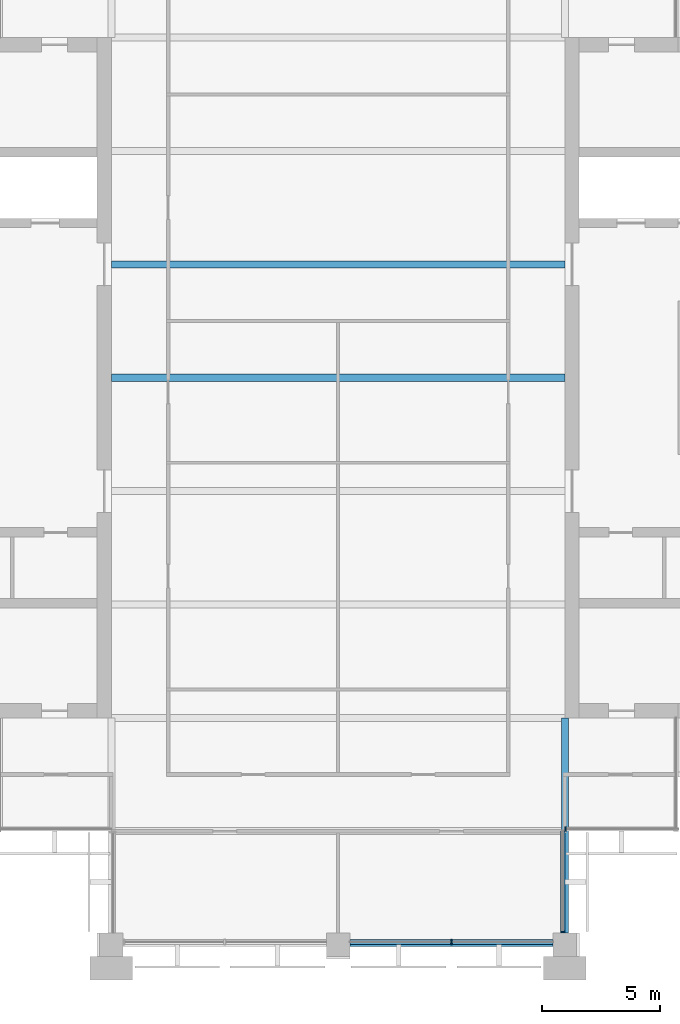
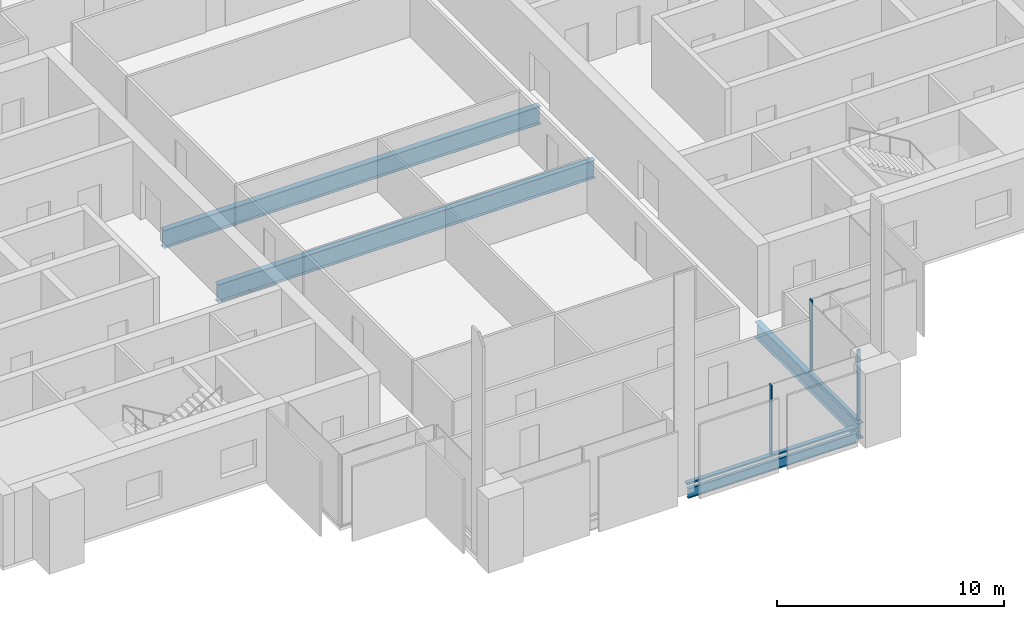
# One storey, part 3 of 12: 5 members, 4 beams, 3 elements without a shape of their own.
"""IFC4 building model written with IfcOpenShell, lengths in metres."""

import ifcopenshell
import ifcopenshell.guid

model = None  # the IFC model being written
_history = None  # IfcOwnerHistory: only IFC2X3 demands one
_inside = {}  # id of a spatial element -> (the spatial element, [elements in it])
_under = {}  # id of a project, library or spatial element -> (it, [spatial elements below it])
_declared = {}  # id of a project -> (the project, [libraries it declares])
_typed = {}  # id of a type object -> (the type object, [elements of that type])
_made_of = {}  # id of a material, layer set ... -> (it, [elements and type objects made of it])


def new_model(schema):
    """Start an empty IFC model of exactly this schema.

    Asked for "IFC4X3", IfcOpenShell would pick the latest addendum, in which some entities
    have other attributes; the version numbers below select the first issue.
    IFC2X3 requires an IfcOwnerHistory on every rooted entity: one is made here for all.
    """
    global model, _history
    if schema == "IFC4X3":
        model = ifcopenshell.file(schema_version=(4, 3, 0, 0))
    else:
        model = ifcopenshell.file(schema=schema)
    _inside.clear()
    _under.clear()
    _declared.clear()
    _typed.clear()
    _made_of.clear()
    _history = None
    if model.schema == "IFC2X3":
        org = make("IfcOrganization", Name="unknown")
        user = make(
            "IfcPersonAndOrganization",
            ThePerson=make("IfcPerson", FamilyName="unknown"),
            TheOrganization=org,
        )
        app = make(
            "IfcApplication",
            ApplicationDeveloper=org,
            Version="unknown",
            ApplicationFullName="unknown",
            ApplicationIdentifier="unknown",
        )
        _history = make(
            "IfcOwnerHistory",
            OwningUser=user,
            OwningApplication=app,
            ChangeAction="ADDED",
            CreationDate=0,
        )
    return model


def make(cls, **values):
    """One entity of the class cls with the attributes given. An attribute that is None is left unset."""
    return model.create_entity(
        cls, **{name: value for name, value in values.items() if value is not None}
    )


def rooted(cls, **values):
    """An entity with a GlobalId (a new one), such as an element, a storey or a relation."""
    return make(cls, GlobalId=ifcopenshell.guid.new(), OwnerHistory=_history, **values)


def si_unit(unit_type, name, prefix=None):
    """IfcSIUnit, for example si_unit("LENGTHUNIT", "METRE", prefix="MILLI")."""
    return make("IfcSIUnit", UnitType=unit_type, Prefix=prefix, Name=name)


def assignment(units):
    """IfcUnitAssignment: the units of a project."""
    return None if units is None else make("IfcUnitAssignment", Units=units)


def point(xyz):
    """IfcCartesianPoint."""
    return None if xyz is None else make("IfcCartesianPoint", Coordinates=xyz)


def direction(xyz):
    """IfcDirection."""
    return None if xyz is None else make("IfcDirection", DirectionRatios=xyz)


def frame(location, z_axis=None, x_axis=None):
    """IfcAxis2Placement3D, a coordinate frame: its origin and axes. An axis left out is left unset."""
    return make(
        "IfcAxis2Placement3D",
        Location=point(location),
        Axis=direction(z_axis),
        RefDirection=direction(x_axis),
    )


def frame_2d(location, x_axis=None):
    """IfcAxis2Placement2D, a coordinate frame in the plane: its origin and x axis."""
    return make(
        "IfcAxis2Placement2D", Location=point(location), RefDirection=direction(x_axis)
    )


def origin():
    """The frame at (0, 0, 0) with its axes left unset."""
    return frame((0.0, 0.0, 0.0))


def origin_2d():
    """The frame at (0, 0) in the plane with its x axis left unset."""
    return frame_2d((0.0, 0.0))


def place(relative_to, where):
    """IfcLocalPlacement: puts the frame where relative to a parent placement (None: the world)."""
    return make(
        "IfcLocalPlacement", PlacementRelTo=relative_to, RelativePlacement=where
    )


def context(
    kind, dimensions, precision=None, world=None, true_north=None, identifier=None
):
    """IfcGeometricRepresentationContext, for example the 3D "Model" context."""
    return make(
        "IfcGeometricRepresentationContext",
        ContextIdentifier=identifier,
        ContextType=kind,
        CoordinateSpaceDimension=dimensions,
        Precision=precision,
        WorldCoordinateSystem=world,
        TrueNorth=true_north,
    )


def subcontext(parent, identifier, kind, view, scale=None):
    """IfcGeometricRepresentationSubContext, for example "Body" below "Model"."""
    return make(
        "IfcGeometricRepresentationSubContext",
        ContextIdentifier=identifier,
        ContextType=kind,
        ParentContext=parent,
        TargetScale=scale,
        TargetView=view,
    )


def project(units=None, contexts=None):
    """IfcProject with its units and contexts."""
    return rooted(
        "IfcProject",
        Name="project",
        RepresentationContexts=contexts,
        UnitsInContext=assignment(units),
    )


def spatial(cls, under=None, at=None, **own):
    """A site, building, storey or space (cls), placed at a placement, below another one or the project."""
    s = rooted(cls, ObjectPlacement=at, **own)
    if under is not None:
        _under.setdefault(under.id(), (under, []))[1].append(s)
    return s


def profile(cls, at=None, kind="AREA", **sizes):
    """A parametric profile (cls). Its sizes go by their IFC names, for example OverallWidth=200.0."""
    return make(cls, ProfileType=kind, Position=at, **sizes)


def rectangle(**sizes):
    """IfcRectangleProfileDef."""
    return profile("IfcRectangleProfileDef", **sizes)


def i_section(**sizes):
    """IfcIShapeProfileDef."""
    return profile("IfcIShapeProfileDef", **sizes)


def extrude(swept, where, along, depth):
    """IfcExtrudedAreaSolid: the profile swept, set in the frame where, extruded along a direction by depth."""
    return make(
        "IfcExtrudedAreaSolid",
        SweptArea=swept,
        Position=where,
        ExtrudedDirection=direction(along),
        Depth=depth,
    )


def shape(context_of_items, identifier, shape_type, items):
    """IfcShapeRepresentation: the items that make up one representation, for example the "Body"."""
    return make(
        "IfcShapeRepresentation",
        ContextOfItems=context_of_items,
        RepresentationIdentifier=identifier,
        RepresentationType=shape_type,
        Items=items,
    )


def material(Name=None, Category=None):
    """IfcMaterial."""
    return make("IfcMaterial", Name=Name, Category=Category)


def material_profile(
    of_material, cross_section, Name=None, Category=None, Priority=None
):
    """IfcMaterialProfile: a cross section and its material."""
    return make(
        "IfcMaterialProfile",
        Name=Name,
        Material=of_material,
        Profile=cross_section,
        Priority=Priority,
        Category=Category,
    )


def profile_set(profiles, Name=None, composite=None):
    """IfcMaterialProfileSet."""
    return make(
        "IfcMaterialProfileSet",
        Name=Name,
        MaterialProfiles=profiles,
        CompositeProfile=composite,
    )


def made_of(thing, what):
    """Note that an element or type object is made of a material, layer set ...; save() writes the relation."""
    if what is not None:
        _made_of.setdefault(what.id(), (what, []))[1].append(thing)
    return thing


def type_object(cls, material=None, **own):
    """A type object (cls), such as IfcWallType, which elements share."""
    return made_of(rooted(cls, **own), material)


def element(
    cls,
    number,
    at=None,
    inside=None,
    cuts=None,
    type_object=None,
    material=None,
    context=None,
    identifier="Body",
    shape_type=None,
    held_by="IfcProductDefinitionShape",
    body=None,
    shapes=None,
    **own,
):
    """One element of the class cls, such as IfcWall. Its Tag is "e" and its number.

    at: its placement. inside: the storey or other place that contains it. cuts: it is an
    opening in that element (IfcRelVoidsElement). A single representation is given by context,
    identifier, shape_type and body (its items); several are given by shapes. held_by: the class
    of the entity that holds the representations. save() writes the other relations.
    """
    e = rooted(cls, Tag="e%d" % number, ObjectPlacement=at, **own)
    if body is not None:
        shapes = [shape(context, identifier, shape_type, body)]
    if shapes is not None:
        e.Representation = make(held_by, Representations=shapes)
    if inside is not None:
        _inside.setdefault(inside.id(), (inside, []))[1].append(e)
    if cuts is not None:
        rooted(
            "IfcRelVoidsElement", RelatingBuildingElement=cuts, RelatedOpeningElement=e
        )
    if type_object is not None:
        _typed.setdefault(type_object.id(), (type_object, []))[1].append(e)
    return made_of(e, material)


def aggregate(whole, parts):
    """IfcRelAggregates: a whole, such as a stair, and the parts it consists of."""
    return rooted("IfcRelAggregates", RelatingObject=whole, RelatedObjects=parts)


def save(model, path):
    """Write the relations noted so far, then the file.

    IfcRelAggregates (storeys below a building ...), IfcRelContainedInSpatialStructure (elements
    in a storey), IfcRelDefinesByType, IfcRelAssociatesMaterial and IfcRelDeclares: one each for
    every whole, place, type object, material and project.
    """
    for whole, parts in _under.values():
        aggregate(whole, parts)
    for where, things in _inside.values():
        rooted(
            "IfcRelContainedInSpatialStructure",
            RelatedElements=things,
            RelatingStructure=where,
        )
    for kind, things in _typed.values():
        rooted("IfcRelDefinesByType", RelatedObjects=things, RelatingType=kind)
    for what, things in _made_of.values():
        rooted("IfcRelAssociatesMaterial", RelatedObjects=things, RelatingMaterial=what)
    for by, libraries in _declared.values():
        rooted("IfcRelDeclares", RelatingContext=by, RelatedDefinitions=libraries)
    model.write(path)


model = new_model("IFC4")

# Units and contexts
model_context = context("Model", 3, precision=1e-05, world=origin(), true_north=direction((0.0, 1.0)))
body_context = subcontext(model_context, "Body", "Model", "MODEL_VIEW")
ifc_project = project(units=[si_unit("LENGTHUNIT", "METRE"), si_unit("AREAUNIT", "SQUARE_METRE"), si_unit("VOLUMEUNIT", "CUBIC_METRE"), si_unit("PLANEANGLEUNIT", "RADIAN"), si_unit("MASSUNIT", "GRAM", prefix="KILO")], contexts=[model_context])

# Site, building, storey
site_placement = place(None, origin())
site = spatial("IfcSite", under=ifc_project, at=site_placement, CompositionType="ELEMENT")
building_placement = place(site_placement, origin())
building = spatial("IfcBuilding", under=site, at=building_placement, Name="Baori Bourse Tower", CompositionType="ELEMENT")
storey_placement = place(building_placement, frame((0.0, 0.0, 306.300048828125)))
storey = spatial("IfcBuildingStorey", under=building, at=storey_placement, Name="L67", CompositionType="ELEMENT", Elevation=306.300048828125)

# Curtain wall, member
ifc_material_1 = material(Name="Pale anodised aluminium", Category="aluminium")
curtain_wall_type_1 = type_object("IfcCurtainWallType", Name="CW2 Curtain wall", PredefinedType="NOTDEFINED", material=ifc_material_1)
curtain_wall_1_placement = place(storey_placement, origin())
curtain_wall_1 = element("IfcCurtainWall", 1, at=curtain_wall_1_placement, inside=storey, type_object=curtain_wall_type_1, Name="Curtain wall CW2 L67 12", PredefinedType="NOTDEFINED")
ifc_material_2 = material(Name="Pale anodised aluminium", Category="aluminium")
ifc_material_profile_1 = material_profile(ifc_material_2, rectangle(XDim=0.179931640625, YDim=0.054931640625, at=origin_2d()), Name="Mullion 55x180")
ifc_profile_set_1 = profile_set([ifc_material_profile_1], Name="Pale anodised aluminium")
member_type_1 = type_object("IfcMemberType", Name="CW2 Curtain wall mullion", PredefinedType="MULLION", material=ifc_profile_set_1)
member_1_placement = place(storey_placement, frame((38.31005859375, 0.527587890625, 0.070068359375), z_axis=(0.0, 0.0, 1.0), x_axis=(-1.0, 0.0, 0.0)))
member_1 = element("IfcMember", 2, at=member_1_placement, type_object=member_type_1, Name="Curtain wall CW2 mullion", PredefinedType="MULLION", context=body_context, shape_type="SweptSolid", body=[
    extrude(rectangle(XDim=0.179931640625, YDim=0.054931640625, at=origin_2d()), origin(), (0.0, 0.0, 1.0), 3.769775390625),
])

curtain_wall_2_placement = place(storey_placement, origin())
curtain_wall_2 = element("IfcCurtainWall", 3, at=curtain_wall_2_placement, inside=storey, type_object=curtain_wall_type_1, Name="Curtain wall CW2 L67 13", PredefinedType="NOTDEFINED")
member_2_placement = place(storey_placement, frame((38.427490234375, 4.889892578125, 0.070068359375), z_axis=(0.0, 0.0, 1.0), x_axis=(0.0, 1.0, 0.0)))
member_2 = element("IfcMember", 4, at=member_2_placement, type_object=member_type_1, Name="Curtain wall CW2 mullion", PredefinedType="MULLION", context=body_context, shape_type="SweptSolid", body=[
    extrude(rectangle(XDim=0.179931640625, YDim=0.054931640625, at=origin_2d()), origin(), (0.0, 0.0, 1.0), 3.769775390625),
])
aggregate(curtain_wall_2, [member_2])

# Member
ifc_material_3 = material(Name="Pale anodised aluminium", Category="aluminium")
ifc_material_profile_2 = material_profile(ifc_material_3, rectangle(XDim=0.179931640625, YDim=0.070068359375, at=origin_2d()), Name="Transom 70x180")
ifc_profile_set_2 = profile_set([ifc_material_profile_2], Name="Pale anodised aluminium")
member_type_2 = type_object("IfcMemberType", Name="CW2 Curtain wall transom", PredefinedType="USERDEFINED", material=ifc_profile_set_2)
member_3_placement = place(storey_placement, frame((38.31005859375, 0.5, 0.034912109375), z_axis=(0.0, 1.0, 0.0), x_axis=(-1.0, 0.0, 0.0)))
member_3 = element("IfcMember", 5, at=member_3_placement, type_object=member_type_2, Name="Curtain wall CW2 sill rail", ObjectType="TRANSOM", PredefinedType="USERDEFINED", context=body_context, shape_type="SweptSolid", body=[
    extrude(rectangle(XDim=0.179931640625, YDim=0.070068359375, at=origin_2d()), origin(), (0.0, 0.0, 1.0), 4.300048828125),
])

aggregate(curtain_wall_1, [member_3, member_1])

# Curtain wall, members
ifc_material_4 = material(Name="Pale anodised aluminium", Category="aluminium")
curtain_wall_type_2 = type_object("IfcCurtainWallType", Name="CW5 Curtain wall", PredefinedType="NOTDEFINED", material=ifc_material_4)
curtain_wall_3_placement = place(storey_placement, origin())
curtain_wall_3 = element("IfcCurtainWall", 6, at=curtain_wall_3_placement, inside=storey, type_object=curtain_wall_type_2, Name="Curtain wall CW5 L67 11", PredefinedType="NOTDEFINED")
ifc_material_5 = material(Name="Pale anodised aluminium", Category="aluminium")
ifc_material_profile_3 = material_profile(ifc_material_5, rectangle(XDim=0.219970703125, YDim=0.06494140625, at=origin_2d()), Name="Mullion 65x220")
ifc_profile_set_3 = profile_set([ifc_material_profile_3], Name="Pale anodised aluminium")
member_type_3 = type_object("IfcMemberType", Name="CW5 Curtain wall mullion", PredefinedType="MULLION", material=ifc_profile_set_3)
member_4_placement = place(storey_placement, frame((33.60009765625, 0.110107421875, 0.0849609375), z_axis=(0.0, 0.0, 1.0), x_axis=(0.0, 1.0, 0.0)))
member_4 = element("IfcMember", 7, at=member_4_placement, type_object=member_type_3, Name="Curtain wall CW5 mullion", PredefinedType="MULLION", context=body_context, shape_type="SweptSolid", body=[
    extrude(rectangle(XDim=0.219970703125, YDim=0.06494140625, at=origin_2d()), origin(), (0.0, 0.0, 1.0), 3.7548828125),
])
ifc_material_6 = material(Name="Pale anodised aluminium", Category="aluminium")
ifc_material_profile_4 = material_profile(ifc_material_6, rectangle(XDim=0.219970703125, YDim=0.0849609375, at=origin_2d()), Name="Transom 85x220")
ifc_profile_set_4 = profile_set([ifc_material_profile_4], Name="Pale anodised aluminium")
member_type_4 = type_object("IfcMemberType", Name="CW5 Curtain wall transom", PredefinedType="USERDEFINED", material=ifc_profile_set_4)
member_5_placement = place(storey_placement, frame((29.300048828125, 0.110107421875, 0.04248046875), z_axis=(1.0, 0.0, 0.0), x_axis=(0.0, 1.0, 0.0)))
member_5 = element("IfcMember", 8, at=member_5_placement, type_object=member_type_4, Name="Curtain wall CW5 sill rail", ObjectType="TRANSOM", PredefinedType="USERDEFINED", context=body_context, shape_type="SweptSolid", body=[
    extrude(rectangle(XDim=0.219970703125, YDim=0.0849609375, at=origin_2d()), origin(), (0.0, 0.0, 1.0), 8.599853515625),
])
aggregate(curtain_wall_3, [member_5, member_4])

# Beams
ifc_material_7 = material(Name="Steel A992 Gr 50", Category="steel")
ifc_material_profile_5 = material_profile(ifc_material_7, i_section(OverallWidth=0.1650390625, OverallDepth=0.52587890625, WebThickness=0.0087890625, FlangeThickness=0.011474609375, at=origin_2d()), Name="W21x44")
ifc_profile_set_5 = profile_set([ifc_material_profile_5], Name="Steel A992 Gr 50")
beam_type_1 = type_object("IfcBeamType", Name="Edge beam W21x44", PredefinedType="BEAM", material=ifc_profile_set_5)
beam_1_placement = place(storey_placement, frame((29.300048828125, 0.0, -0.4228515625), z_axis=(1.0, 0.0, 0.0), x_axis=(0.0, 1.0, 0.0)))
element("IfcBeam", 9, at=beam_1_placement, inside=storey, type_object=beam_type_1, Name="Edge beam L67", PredefinedType="BEAM", context=body_context, shape_type="SweptSolid", body=[
    extrude(i_section(OverallWidth=0.1650390625, OverallDepth=0.52587890625, WebThickness=0.0087890625, FlangeThickness=0.011474609375, at=origin_2d()), origin(), (0.0, 0.0, 1.0), 8.599853515625),
])
ifc_material_8 = material(Name="Steel A992 Gr 50", Category="steel")
ifc_material_profile_6 = material_profile(ifc_material_8, i_section(OverallWidth=0.2998046875, OverallDepth=0.97021484375, WebThickness=0.01611328125, FlangeThickness=0.02099609375, at=origin_2d()), Name="W40x149")
ifc_profile_set_6 = profile_set([ifc_material_profile_6], Name="Steel A992 Gr 50")
beam_type_2 = type_object("IfcBeamType", Name="Floor beam W40x149", PredefinedType="BEAM", material=ifc_profile_set_6)
for number, where, z_axis, x_axis, name in (
    (10, (19.199951171875, 24.0, -0.645263671875), (1.0, 0.0, 0.0), (0.0, 1.0, 0.0), "Floor beam L67"),
    (11, (19.199951171875, 28.800048828125, -0.645263671875), (1.0, 0.0, 0.0), (0.0, 1.0, 0.0), "Floor beam L67"),
):
    element("IfcBeam", number, at=place(storey_placement, frame(where, z_axis=z_axis, x_axis=x_axis)), inside=storey, type_object=beam_type_2, Name=name, PredefinedType="BEAM", context=body_context, shape_type="SweptSolid", body=[
        extrude(i_section(OverallWidth=0.2998046875, OverallDepth=0.97021484375, WebThickness=0.01611328125, FlangeThickness=0.02099609375, at=origin_2d()), origin(), (0.0, 0.0, 1.0), 19.199951171875),
    ])
ifc_material_9 = material(Name="Steel A992 Gr 50", Category="steel")
ifc_material_profile_7 = material_profile(ifc_material_9, i_section(OverallWidth=0.2919921875, OverallDepth=0.835693359375, WebThickness=0.013916015625, FlangeThickness=0.018798828125, at=origin_2d()), Name="W33x118")
ifc_profile_set_7 = profile_set([ifc_material_profile_7], Name="Steel A992 Gr 50")
beam_type_3 = type_object("IfcBeamType", Name="Girder W33x118", PredefinedType="BEAM", material=ifc_profile_set_7)
beam_2_placement = place(storey_placement, frame((38.39990234375, 0.5, -0.577880859375), z_axis=(0.0, 1.0, 0.0), x_axis=(-1.0, 0.0, 0.0)))
element("IfcBeam", 12, at=beam_2_placement, inside=storey, type_object=beam_type_3, Name="Girder L67", PredefinedType="BEAM", context=body_context, shape_type="SweptSolid", body=[
    extrude(i_section(OverallWidth=0.2919921875, OverallDepth=0.835693359375, WebThickness=0.013916015625, FlangeThickness=0.018798828125, at=origin_2d()), origin(), (0.0, 0.0, 1.0), 9.10009765625),
])

save(model, "model.ifc")
